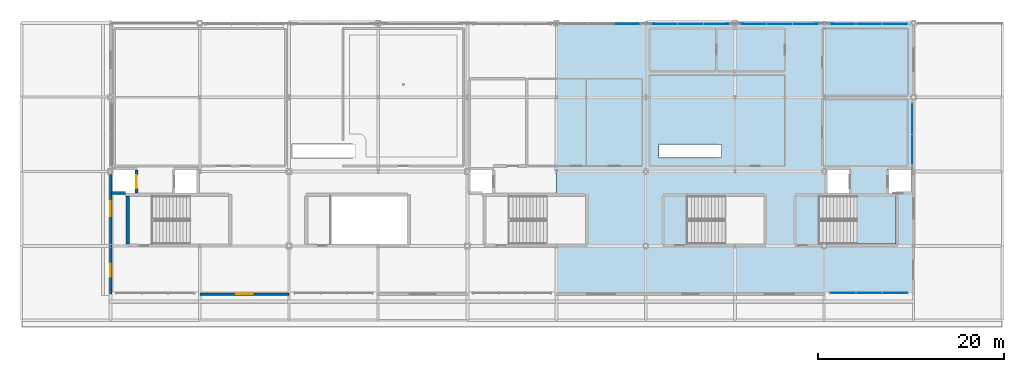
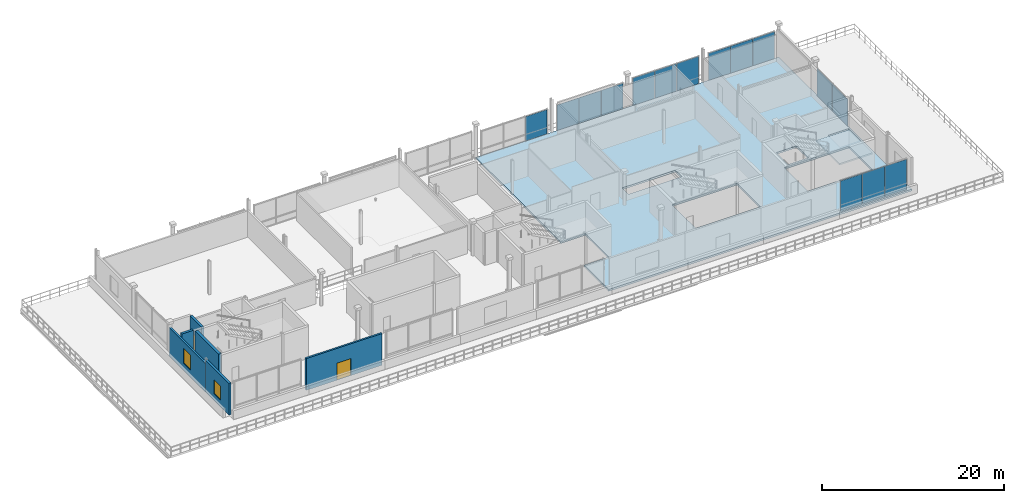
# One storey, part 15 of 26: 15 plates, 6 walls, 2 doors, 2 slabs, 2 windows, 4 openings, 7 elements without a shape of their own.
"""IFC4 building model written with IfcOpenShell, lengths in metres."""

from ifc_helpers import new_model, si_unit, direction, frame, frame_2d, origin, origin_2d, place, context, subcontext, project, spatial, polyline, rectangle, outline, extrude, material, layer, layer_set, type_object, element, fill, aggregate, save


model = new_model("IFC4")

# Units and contexts
model_context = context("Model", 3, precision=1e-05, world=origin(), true_north=direction((0.0, 1.0)))
body_context = subcontext(model_context, "Body", "Model", "MODEL_VIEW")
ifc_project = project(units=[si_unit("LENGTHUNIT", "METRE"), si_unit("AREAUNIT", "SQUARE_METRE"), si_unit("VOLUMEUNIT", "CUBIC_METRE"), si_unit("PLANEANGLEUNIT", "RADIAN"), si_unit("MASSUNIT", "GRAM", prefix="KILO")], contexts=[model_context])

# Site, building, storey
site_placement = place(None, origin())
site = spatial("IfcSite", under=ifc_project, at=site_placement, CompositionType="ELEMENT")
building_placement = place(site_placement, origin())
building = spatial("IfcBuilding", under=site, at=building_placement, Name="Danafjord Basin Convention Centre", CompositionType="ELEMENT")
storey_placement = place(building_placement, frame((0.0, 0.0, 24.89990234375)))
storey = spatial("IfcBuildingStorey", under=building, at=storey_placement, Name="L05", CompositionType="ELEMENT", Elevation=24.89990234375)

# Curtain wall, plates
ifc_material_1 = material(Name="Anodised aluminium and triple glazing", Category="aluminium")
curtain_wall_type = type_object("IfcCurtainWallType", Name="CW-CW-TERR", PredefinedType="NOTDEFINED", material=ifc_material_1)
curtain_wall_1_placement = place(storey_placement, origin())
curtain_wall_1 = element("IfcCurtainWall", 1, at=curtain_wall_1_placement, inside=storey, type_object=curtain_wall_type, Name="L05 CW-TERR unitised curtain wall bay 40", PredefinedType="NOTDEFINED")
ifc_material_2 = material(Name="Triple low-E insulated glazing", Category="glass")
ifc_layer_1 = layer(ifc_material_2, 0.0380859375)
ifc_layer_set_1 = layer_set([ifc_layer_1], Name="Triple low-E insulated glazing")
plate_type_1 = type_object("IfcPlateType", Name="PLT-GP-38", PredefinedType="CURTAIN_PANEL", material=ifc_layer_set_1)
plate_1_placement = place(storey_placement, frame((88.39990234375, 10.919921875, 0.088134765625), z_axis=(0.0, 0.0, 1.0), x_axis=(1.0, 0.0, 0.0)))
plate_1 = element("IfcPlate", 2, at=plate_1_placement, type_object=plate_type_1, Name="CW-L05-040 vision glazing unit 1", PredefinedType="CURTAIN_PANEL", context=body_context, shape_type="SweptSolid", body=[
    extrude(rectangle(XDim=2.743896484375, YDim=0.0380859375, at=origin_2d()), origin(), (0.0, 0.0, 1.0), 4.083984375),
])
plate_2_placement = place(storey_placement, frame((91.199951171875, 10.919921875, 0.088134765625), z_axis=(0.0, 0.0, 1.0), x_axis=(1.0, 0.0, 0.0)))
plate_2 = element("IfcPlate", 3, at=plate_2_placement, type_object=plate_type_1, Name="CW-L05-040 vision glazing unit 2", PredefinedType="CURTAIN_PANEL", context=body_context, shape_type="SweptSolid", body=[
    extrude(rectangle(XDim=2.743896484375, YDim=0.0380859375, at=origin_2d()), origin(), (0.0, 0.0, 1.0), 4.083984375),
])
plate_3_placement = place(storey_placement, frame((94.0, 10.919921875, 0.088134765625), z_axis=(0.0, 0.0, 1.0), x_axis=(1.0, 0.0, 0.0)))
plate_3 = element("IfcPlate", 4, at=plate_3_placement, type_object=plate_type_1, Name="CW-L05-040 vision glazing unit 3", PredefinedType="CURTAIN_PANEL", context=body_context, shape_type="SweptSolid", body=[
    extrude(rectangle(XDim=2.743896484375, YDim=0.0380859375, at=origin_2d()), origin(), (0.0, 0.0, 1.0), 4.083984375),
])
aggregate(curtain_wall_1, [plate_1, plate_2, plate_3])

curtain_wall_2_placement = place(storey_placement, origin())
curtain_wall_2 = element("IfcCurtainWall", 5, at=curtain_wall_2_placement, inside=storey, type_object=curtain_wall_type, Name="L05 CW-TERR unitised curtain wall bay 104", PredefinedType="NOTDEFINED")
plate_4_placement = place(storey_placement, frame((74.800048828125, 39.8798828125, 0.088134765625), z_axis=(0.0, 0.0, 1.0), x_axis=(-1.0, 0.0, 0.0)))
plate_4 = element("IfcPlate", 6, at=plate_4_placement, type_object=plate_type_1, Name="CW-L05-104 vision glazing unit 1", PredefinedType="CURTAIN_PANEL", context=body_context, shape_type="SweptSolid", body=[
    extrude(rectangle(XDim=2.743896484375, YDim=0.0380859375, at=origin_2d()), origin(), (0.0, 0.0, 1.0), 3.4140625),
])
plate_5_placement = place(storey_placement, frame((72.0, 39.8798828125, 0.088134765625), z_axis=(0.0, 0.0, 1.0), x_axis=(-1.0, 0.0, 0.0)))
plate_5 = element("IfcPlate", 7, at=plate_5_placement, type_object=plate_type_1, Name="CW-L05-104 vision glazing unit 2", PredefinedType="CURTAIN_PANEL", context=body_context, shape_type="SweptSolid", body=[
    extrude(rectangle(XDim=2.743896484375, YDim=0.0380859375, at=origin_2d()), origin(), (0.0, 0.0, 1.0), 3.4140625),
])
plate_6_placement = place(storey_placement, frame((69.199951171875, 39.8798828125, 0.088134765625), z_axis=(0.0, 0.0, 1.0), x_axis=(-1.0, 0.0, 0.0)))
plate_6 = element("IfcPlate", 8, at=plate_6_placement, type_object=plate_type_1, Name="CW-L05-104 vision glazing unit 3", PredefinedType="CURTAIN_PANEL", context=body_context, shape_type="SweptSolid", body=[
    extrude(rectangle(XDim=2.743896484375, YDim=0.0380859375, at=origin_2d()), origin(), (0.0, 0.0, 1.0), 3.4140625),
])
aggregate(curtain_wall_2, [plate_4, plate_5, plate_6])

curtain_wall_3_placement = place(storey_placement, origin())
curtain_wall_3 = element("IfcCurtainWall", 9, at=curtain_wall_3_placement, inside=storey, type_object=curtain_wall_type, Name="L05 CW-TERR unitised curtain wall bay 106", PredefinedType="NOTDEFINED")
plate_7_placement = place(storey_placement, frame((94.0, 39.8798828125, 0.087890625), z_axis=(0.0, 0.0, 1.0), x_axis=(-1.0, 0.0, 0.0)))
plate_7 = element("IfcPlate", 10, at=plate_7_placement, type_object=plate_type_1, Name="CW-L05-106 vision glazing unit 1", PredefinedType="CURTAIN_PANEL", context=body_context, shape_type="SweptSolid", body=[
    extrude(rectangle(XDim=2.743896484375, YDim=0.0380859375, at=origin_2d()), origin(), (0.0, 0.0, 1.0), 3.614013671875),
])
plate_8_placement = place(storey_placement, frame((91.199951171875, 39.8798828125, 0.087890625), z_axis=(0.0, 0.0, 1.0), x_axis=(-1.0, 0.0, 0.0)))
plate_8 = element("IfcPlate", 11, at=plate_8_placement, type_object=plate_type_1, Name="CW-L05-106 vision glazing unit 2", PredefinedType="CURTAIN_PANEL", context=body_context, shape_type="SweptSolid", body=[
    extrude(rectangle(XDim=2.743896484375, YDim=0.0380859375, at=origin_2d()), origin(), (0.0, 0.0, 1.0), 3.614013671875),
])
plate_9_placement = place(storey_placement, frame((88.39990234375, 39.8798828125, 0.087890625), z_axis=(0.0, 0.0, 1.0), x_axis=(-1.0, 0.0, 0.0)))
plate_9 = element("IfcPlate", 12, at=plate_9_placement, type_object=plate_type_1, Name="CW-L05-106 vision glazing unit 3", PredefinedType="CURTAIN_PANEL", context=body_context, shape_type="SweptSolid", body=[
    extrude(rectangle(XDim=2.743896484375, YDim=0.0380859375, at=origin_2d()), origin(), (0.0, 0.0, 1.0), 3.614013671875),
])
aggregate(curtain_wall_3, [plate_7, plate_8, plate_9])

curtain_wall_4_placement = place(storey_placement, origin())
curtain_wall_4 = element("IfcCurtainWall", 13, at=curtain_wall_4_placement, inside=storey, type_object=curtain_wall_type, Name="L05 CW-TERR unitised curtain wall bay 108", PredefinedType="NOTDEFINED")
plate_10_placement = place(storey_placement, frame((95.8798828125, 26.300048828125, 0.087890625), z_axis=(0.0, 0.0, 1.0), x_axis=(0.0, 1.0, 0.0)))
plate_10 = element("IfcPlate", 14, at=plate_10_placement, type_object=plate_type_1, Name="CW-L05-108 vision glazing unit 1", PredefinedType="CURTAIN_PANEL", context=body_context, shape_type="SweptSolid", body=[
    extrude(rectangle(XDim=3.343994140625, YDim=0.0380859375, at=origin_2d()), origin(), (0.0, 0.0, 1.0), 3.614013671875),
])
plate_11_placement = place(storey_placement, frame((95.8798828125, 29.699951171875, 0.087890625), z_axis=(0.0, 0.0, 1.0), x_axis=(0.0, 1.0, 0.0)))
plate_11 = element("IfcPlate", 15, at=plate_11_placement, type_object=plate_type_1, Name="CW-L05-108 vision glazing unit 2", PredefinedType="CURTAIN_PANEL", context=body_context, shape_type="SweptSolid", body=[
    extrude(rectangle(XDim=3.343994140625, YDim=0.0380859375, at=origin_2d()), origin(), (0.0, 0.0, 1.0), 3.614013671875),
])
aggregate(curtain_wall_4, [plate_10, plate_11])

# Curtain wall, plate
curtain_wall_5_placement = place(storey_placement, origin())
curtain_wall_5 = element("IfcCurtainWall", 16, at=curtain_wall_5_placement, inside=storey, type_object=curtain_wall_type, Name="L05 CW-TERR unitised curtain wall bay 103", PredefinedType="NOTDEFINED")
ifc_layer_2 = layer(ifc_material_2, 0.048095703125)
ifc_layer_set_2 = layer_set([ifc_layer_2], Name="Triple low-E insulated glazing")
plate_type_2 = type_object("IfcPlateType", Name="PLT-GP-48", PredefinedType="CURTAIN_PANEL", material=ifc_layer_set_2)
plate_12_placement = place(storey_placement, frame((65.199951171875, 39.8798828125, 0.08837890625), z_axis=(0.0, 0.0, 1.0), x_axis=(-1.0, 0.0, 0.0)))
plate_12 = element("IfcPlate", 17, at=plate_12_placement, type_object=plate_type_2, Name="CW-L05-103 vision glazing unit 1", PredefinedType="CURTAIN_PANEL", context=body_context, shape_type="SweptSolid", body=[
    extrude(rectangle(XDim=2.743896484375, YDim=0.048095703125, at=origin_2d()), origin(), (0.0, 0.0, 1.0), 3.263916015625),
])
aggregate(curtain_wall_5, [plate_12])

# Curtain wall, plates
curtain_wall_6_placement = place(storey_placement, origin())
curtain_wall_6 = element("IfcCurtainWall", 18, at=curtain_wall_6_placement, inside=storey, type_object=curtain_wall_type, Name="L05 CW-TERR unitised curtain wall bay 105", PredefinedType="NOTDEFINED")
plate_13_placement = place(storey_placement, frame((84.39990234375, 39.8798828125, 0.088134765625), z_axis=(0.0, 0.0, 1.0), x_axis=(-1.0, 0.0, 0.0)))
plate_13 = element("IfcPlate", 19, at=plate_13_placement, type_object=plate_type_2, Name="CW-L05-105 vision glazing unit 1", PredefinedType="CURTAIN_PANEL", context=body_context, shape_type="SweptSolid", body=[
    extrude(rectangle(XDim=2.743896484375, YDim=0.048095703125, at=origin_2d()), origin(), (0.0, 0.0, 1.0), 3.6640625),
])
plate_14_placement = place(storey_placement, frame((81.60009765625, 39.8798828125, 0.088134765625), z_axis=(0.0, 0.0, 1.0), x_axis=(-1.0, 0.0, 0.0)))
plate_14 = element("IfcPlate", 20, at=plate_14_placement, type_object=plate_type_2, Name="CW-L05-105 vision glazing unit 2", PredefinedType="CURTAIN_PANEL", context=body_context, shape_type="SweptSolid", body=[
    extrude(rectangle(XDim=2.743896484375, YDim=0.048095703125, at=origin_2d()), origin(), (0.0, 0.0, 1.0), 3.6640625),
])
plate_15_placement = place(storey_placement, frame((78.800048828125, 39.8798828125, 0.088134765625), z_axis=(0.0, 0.0, 1.0), x_axis=(-1.0, 0.0, 0.0)))
plate_15 = element("IfcPlate", 21, at=plate_15_placement, type_object=plate_type_2, Name="CW-L05-105 vision glazing unit 3", PredefinedType="CURTAIN_PANEL", context=body_context, shape_type="SweptSolid", body=[
    extrude(rectangle(XDim=2.743896484375, YDim=0.048095703125, at=origin_2d()), origin(), (0.0, 0.0, 1.0), 3.6640625),
])
aggregate(curtain_wall_6, [plate_13, plate_14, plate_15])

# Slab
ifc_material_3 = material(Name="Concrete C35/45", Category="concrete")
ifc_layer_3 = layer(ifc_material_3, 0.25)
ifc_layer_set_3 = layer_set([ifc_layer_3], Name="Concrete C35/45")
slab_type_1 = type_object("IfcSlabType", Name="SLAB-FS-250", PredefinedType="FLOOR", material=ifc_layer_set_3)
slab_1_placement = place(storey_placement, frame((0.0, 0.0, -0.25)))
element("IfcSlab", 22, at=slab_1_placement, inside=storey, type_object=slab_type_1, Name="L05 FS-250 slab SL-L05-V4E", PredefinedType="FLOOR", context=body_context, shape_type="SweptSolid", body=[
    extrude(outline(polyline([(60.72998046875, 16.2099609375), (60.72998046875, 21.35009765625), (57.60009765625, 21.35009765625), (57.60009765625, 40.0), (96.0, 40.0), (96.0, 10.800048828125), (57.60009765625, 10.800048828125), (57.60009765625, 16.2099609375), (60.72998046875, 16.2099609375)]), holes=[polyline([(95.800048828125, 24.300048828125), (93.199951171875, 24.300048828125), (93.199951171875, 21.699951171875), (95.800048828125, 21.699951171875), (95.800048828125, 24.300048828125)]), polyline([(85.929931640625, 16.2099609375), (94.1298828125, 16.2099609375), (94.1298828125, 21.35009765625), (85.929931640625, 21.35009765625), (85.929931640625, 16.2099609375)]), polyline([(89.199951171875, 21.699951171875), (89.199951171875, 24.300048828125), (86.60009765625, 24.300048828125), (86.60009765625, 21.699951171875), (89.199951171875, 21.699951171875)]), polyline([(71.72998046875, 16.2099609375), (79.929931640625, 16.2099609375), (79.929931640625, 21.35009765625), (71.72998046875, 21.35009765625), (71.72998046875, 16.2099609375)]), polyline([(68.60009765625, 25.5), (75.35009765625, 25.5), (75.35009765625, 26.89990234375), (68.60009765625, 26.89990234375), (68.60009765625, 25.5)])]), origin(), (0.0, 0.0, 1.0), 0.25),
])

# Stair, slab
ifc_material_4 = material(Name="Concrete C40/50", Category="concrete")
stair_type = type_object("IfcStairType", Name="STAIR-STR-C01", PredefinedType="TWO_STRAIGHT_RUN_STAIR", material=ifc_material_4)
stair_placement = place(storey_placement, origin())
stair = element("IfcStair", 23, at=stair_placement, inside=storey, type_object=stair_type, Name="L05 Central Harbour Core Stair 1", PredefinedType="HALF_TURN_STAIR")
ifc_layer_4 = layer(ifc_material_4, 0.199951171875)
ifc_layer_set_4 = layer_set([ifc_layer_4], Name="Concrete C40/50")
slab_type_2 = type_object("IfcSlabType", Name="SLAB-LAND-200", PredefinedType="LANDING", material=ifc_layer_set_4)
slab_2_placement = place(storey_placement, frame((0.0, 0.0, 2.050048828125)))
slab_2 = element("IfcSlab", 24, at=slab_2_placement, type_object=slab_type_2, Name="ST-03 landing 1", PredefinedType="LANDING", context=body_context, shape_type="SweptSolid", body=[
    extrude(outline(polyline([(89.945068359375, 16.2099609375), (94.1298828125, 16.2099609375), (94.1298828125, 21.35009765625), (89.945068359375, 21.35009765625), (89.945068359375, 16.2099609375)])), origin(), (0.0, 0.0, 1.0), 0.199951171875),
])
aggregate(stair, [slab_2])

# Wall
ifc_layer_5 = layer(ifc_material_4, 0.300048828125)
ifc_layer_set_5 = layer_set([ifc_layer_5], Name="Concrete C40/50")
wall_type_1 = type_object("IfcWallType", Name="WALL-CW-CORE300", PredefinedType="SHEAR", material=ifc_layer_set_5)
wall_1_placement = place(storey_placement, frame((9.7099609375, 21.699951171875, 0.0), z_axis=(0.0, 0.0, 1.0), x_axis=(1.0, 0.0, 0.0)))
element("IfcWall", 25, at=wall_1_placement, inside=storey, type_object=wall_type_1, Name="Lift LF-FF01 shaft shear wall", PredefinedType="SHEAR", context=body_context, shape_type="SweptSolid", body=[
    extrude(rectangle(XDim=1.489990234375, YDim=0.300048828125, at=frame_2d((0.7451171875, 0.0))), origin(), (0.0, 0.0, 1.0), 4.27001953125),
])

# Wall, opening, door
wall_2_placement = place(storey_placement, frame((12.39990234375, 21.6650390625, 0.0), z_axis=(0.0, 0.0, 1.0), x_axis=(0.0, 1.0, 0.0)))
wall_2 = element("IfcWall", 26, at=wall_2_placement, inside=storey, type_object=wall_type_1, Name="Lift LF-FF01 shaft shear wall", PredefinedType="SHEAR", context=body_context, shape_type="SweptSolid", body=[
    extrude(rectangle(XDim=2.5, YDim=0.300048828125, at=frame_2d((1.25, 0.0))), origin(), (0.0, 0.0, 1.0), 4.260009765625),
])
opening_1_placement = place(wall_2_placement, frame((0.550048828125, 0.0, 0.0)))
opening_1 = element("IfcOpeningElement", 27, at=opening_1_placement, cuts=wall_2, Name="Opening LD-F01", PredefinedType="OPENING", context=body_context, shape_type="SweptSolid", body=[
    extrude(rectangle(XDim=1.39990234375, YDim=2.260009765625, at=frame_2d((0.699951171875, 1.1298828125))), frame((0.0, 0.159912109375, 0.0), z_axis=(0.0, -1.0, 0.0), x_axis=(1.0, 0.0, 0.0)), (0.0, 0.0, 1.0), 0.320068359375),
])
ifc_material_5 = material(Name="Brushed stainless steel and acoustic laminated glass", Category="steel")
door_type_1 = type_object("IfcDoorType", Name="DOOR-LD-F01", OperationType="DOUBLE_DOOR_SLIDING", PredefinedType="DOOR", material=ifc_material_5)
door_1_placement = place(opening_1_placement, origin())
door_1 = element("IfcDoor", 28, at=door_1_placement, inside=storey, type_object=door_type_1, Name="Lift LF-FF01 L05 Landing Door", OperationType="DOUBLE_DOOR_SLIDING", OverallHeight=2.260009765625, OverallWidth=1.39990234375, PredefinedType="DOOR", context=body_context, shape_type="SweptSolid", body=[
    extrude(rectangle(XDim=1.39990234375, YDim=2.260009765625, at=frame_2d((0.699951171875, 1.1298828125))), frame((0.0, 0.02490234375, 0.0), z_axis=(0.0, -1.0, 0.0), x_axis=(1.0, 0.0, 0.0)), (0.0, 0.0, 1.0), 0.050048828125),
])
fill(opening_1, door_1)

# Wall
ifc_material_6 = material(Name="Concrete C45/55", Category="concrete")
ifc_layer_6 = layer(ifc_material_6, 0.35009765625)
ifc_layer_set_6 = layer_set([ifc_layer_6], Name="Concrete C45/55")
wall_type_2 = type_object("IfcWallType", Name="WALL-CW-CORE350", PredefinedType="SHEAR", material=ifc_layer_set_6)
wall_3_placement = place(storey_placement, frame((11.449951171875, 21.35009765625, 0.0), z_axis=(0.0, 0.0, 1.0), x_axis=(0.0, -1.0, 0.0)))
element("IfcWall", 29, at=wall_3_placement, inside=storey, type_object=wall_type_2, Name="West Harbour Core Stair 1 core shear wall (west)", PredefinedType="SHEAR", context=body_context, shape_type="SweptSolid", body=[
    extrude(rectangle(XDim=5.14013671875, YDim=0.35009765625, at=frame_2d((2.570068359375, 0.0))), origin(), (0.0, 0.0, 1.0), 4.27001953125),
])

# Wall, opening, door
ifc_layer_7 = layer(ifc_material_3, 0.22998046875)
ifc_layer_set_7 = layer_set([ifc_layer_7], Name="Concrete C35/45")
wall_type_3 = type_object("IfcWallType", Name="WALL-EW-STD230", PredefinedType="STANDARD", material=ifc_layer_set_7)
wall_4_placement = place(storey_placement, frame((19.199951171875, 10.800048828125, 0.0), z_axis=(0.0, 0.0, 1.0), x_axis=(1.0, 0.0, 0.0)))
wall_4 = element("IfcWall", 30, at=wall_4_placement, inside=storey, type_object=wall_type_3, Name="L05 harbourfront precast facade bay 2", PredefinedType="STANDARD", context=body_context, shape_type="SweptSolid", body=[
    extrude(rectangle(XDim=9.60009765625, YDim=0.22998046875, at=frame_2d((4.800048828125, 0.0))), origin(), (0.0, 0.0, 1.0), 4.260009765625),
])
opening_2_placement = place(wall_4_placement, frame((3.919921875, 0.0, 0.0)))
opening_2 = element("IfcOpeningElement", 31, at=opening_2_placement, cuts=wall_4, Name="Opening ED-04", PredefinedType="OPENING", context=body_context, shape_type="SweptSolid", body=[
    extrude(rectangle(XDim=1.760009765625, YDim=2.280029296875, at=frame_2d((0.8798828125, 1.14013671875))), frame((0.0, 0.125, 0.0), z_axis=(0.0, -1.0, 0.0), x_axis=(1.0, 0.0, 0.0)), (0.0, 0.0, 1.0), 0.25),
])
ifc_material_7 = material(Name="Thermally broken anodised aluminium and steel", Category="steel")
door_type_2 = type_object("IfcDoorType", Name="DOOR-ED-04", OperationType="DOUBLE_DOOR_SINGLE_SWING", PredefinedType="DOOR", material=ifc_material_7)
door_2_placement = place(opening_2_placement, origin())
door_2 = element("IfcDoor", 32, at=door_2_placement, inside=storey, type_object=door_type_2, Name="L05 Harbour Terrace Access Door", OperationType="DOUBLE_DOOR_SINGLE_SWING", OverallHeight=2.280029296875, OverallWidth=1.760009765625, PredefinedType="DOOR", context=body_context, shape_type="SweptSolid", body=[
    extrude(rectangle(XDim=1.760009765625, YDim=2.280029296875, at=frame_2d((0.8798828125, 1.14013671875))), frame((0.0, 0.02490234375, 0.0), z_axis=(0.0, -1.0, 0.0), x_axis=(1.0, 0.0, 0.0)), (0.0, 0.0, 1.0), 0.050048828125),
])
fill(opening_2, door_2)

# Wall, opening, window
ifc_layer_8 = layer(ifc_material_3, 0.260009765625)
ifc_layer_set_8 = layer_set([ifc_layer_8], Name="Concrete C35/45")
wall_type_4 = type_object("IfcWallType", Name="WALL-EW-STD260", PredefinedType="STANDARD", material=ifc_layer_set_8)
wall_5_placement = place(storey_placement, frame((9.60009765625, 10.800048828125, 0.0), z_axis=(0.0, 0.0, 1.0), x_axis=(0.0, 1.0, 0.0)))
wall_5 = element("IfcWall", 33, at=wall_5_placement, inside=storey, type_object=wall_type_4, Name="L05 W wing facade wall", PredefinedType="STANDARD", context=body_context, shape_type="SweptSolid", body=[
    extrude(rectangle(XDim=5.199951171875, YDim=0.260009765625, at=frame_2d((2.60009765625, 0.0))), origin(), (0.0, 0.0, 1.0), 4.260009765625),
])
opening_3_placement = place(wall_5_placement, frame((1.89990234375, 0.0, 0.89990234375)))
opening_3 = element("IfcOpeningElement", 34, at=opening_3_placement, cuts=wall_5, Name="Opening WN-02", PredefinedType="OPENING", context=body_context, shape_type="SweptSolid", body=[
    extrude(rectangle(XDim=1.39990234375, YDim=1.89990234375, at=frame_2d((0.699951171875, 0.949951171875))), frame((0.0, 0.139892578125, 0.0), z_axis=(0.0, -1.0, 0.0), x_axis=(1.0, 0.0, 0.0)), (0.0, 0.0, 1.0), 0.280029296875),
])
ifc_material_8 = material(Name="Thermally broken aluminium and triple low-E glass", Category="aluminium")
window_type_1 = type_object("IfcWindowType", Name="WIN-WN-02", PartitioningType="SINGLE_PANEL", PredefinedType="WINDOW", material=ifc_material_8)
window_1_placement = place(opening_3_placement, origin())
window_1 = element("IfcWindow", 35, at=window_1_placement, inside=storey, type_object=window_type_1, Name="L05 W window WN-02", OverallHeight=1.89990234375, OverallWidth=1.39990234375, PartitioningType="SINGLE_PANEL", PredefinedType="WINDOW", context=body_context, shape_type="SweptSolid", body=[
    extrude(rectangle(XDim=1.39990234375, YDim=1.89990234375, at=frame_2d((0.699951171875, 0.949951171875))), frame((0.0, 0.030029296875, 0.0), z_axis=(0.0, -1.0, 0.0), x_axis=(1.0, 0.0, 0.0)), (0.0, 0.0, 1.0), 0.06005859375),
])
fill(opening_3, window_1)

wall_6_placement = place(storey_placement, frame((9.60009765625, 16.0, 0.0), z_axis=(0.0, 0.0, 1.0), x_axis=(0.0, 1.0, 0.0)))
wall_6 = element("IfcWall", 36, at=wall_6_placement, inside=storey, type_object=wall_type_4, Name="L05 W wing facade wall", PredefinedType="STANDARD", context=body_context, shape_type="SweptSolid", body=[
    extrude(rectangle(XDim=8.0, YDim=0.260009765625, at=frame_2d((4.0, 0.0))), origin(), (0.0, 0.0, 1.0), 3.7900390625),
])
opening_4_placement = place(wall_6_placement, frame((3.199951171875, 0.0, 0.89990234375)))
opening_4 = element("IfcOpeningElement", 37, at=opening_4_placement, cuts=wall_6, Name="Opening WN-03", PredefinedType="OPENING", context=body_context, shape_type="SweptSolid", body=[
    extrude(rectangle(XDim=1.60009765625, YDim=2.0, at=frame_2d((0.800048828125, 1.0))), frame((0.0, 0.139892578125, 0.0), z_axis=(0.0, -1.0, 0.0), x_axis=(1.0, 0.0, 0.0)), (0.0, 0.0, 1.0), 0.280029296875),
])
window_type_2 = type_object("IfcWindowType", Name="WIN-WN-03", PartitioningType="SINGLE_PANEL", PredefinedType="WINDOW", material=ifc_material_8)
window_2_placement = place(opening_4_placement, origin())
window_2 = element("IfcWindow", 38, at=window_2_placement, inside=storey, type_object=window_type_2, Name="L05 W window WN-03", OverallHeight=2.0, OverallWidth=1.60009765625, PartitioningType="SINGLE_PANEL", PredefinedType="WINDOW", context=body_context, shape_type="SweptSolid", body=[
    extrude(rectangle(XDim=1.60009765625, YDim=2.0, at=frame_2d((0.800048828125, 1.0))), frame((0.0, 0.030029296875, 0.0), z_axis=(0.0, -1.0, 0.0), x_axis=(1.0, 0.0, 0.0)), (0.0, 0.0, 1.0), 0.06005859375),
])
fill(opening_4, window_2)

save(model, "model.ifc")
